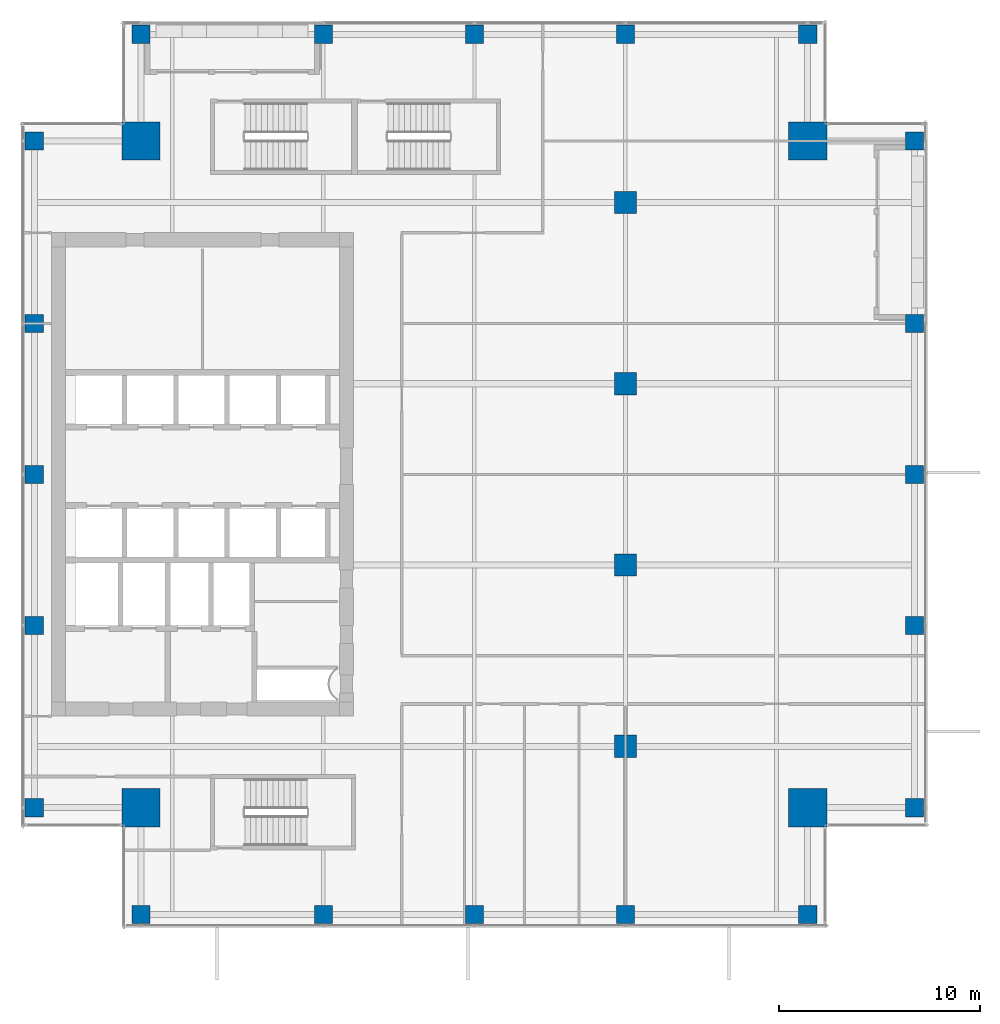
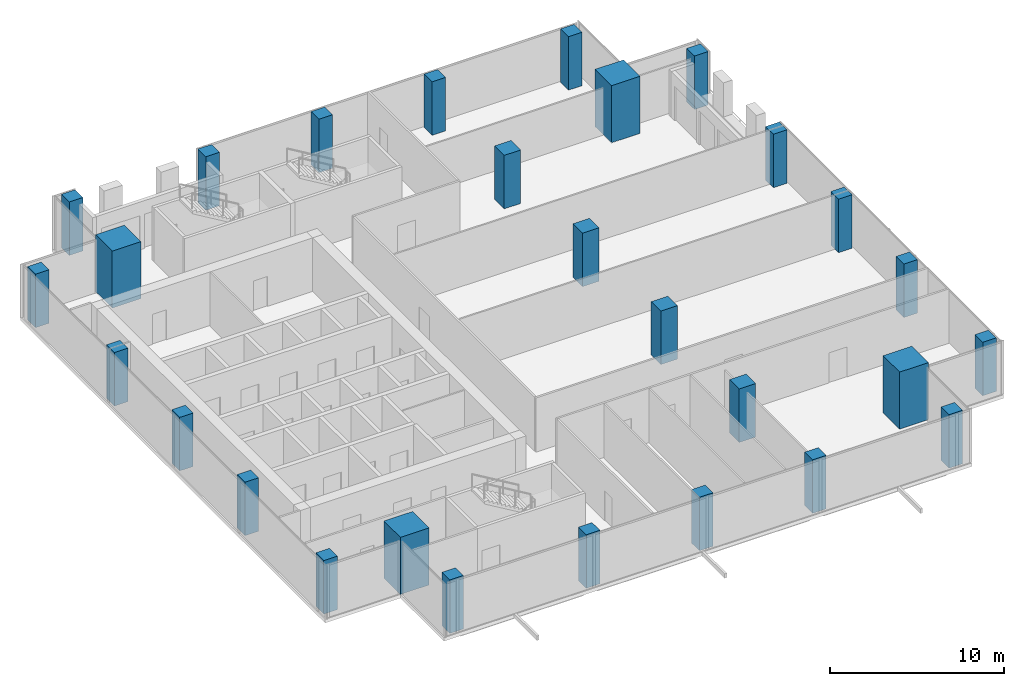
# One storey, part 1 of 34: 28 columns.
"""IFC4 building model written with IfcOpenShell, lengths in metres."""

from ifc_helpers import new_model, si_unit, direction, frame, origin, origin_2d, place, context, subcontext, project, spatial, rectangle, extrude, source, transform, mapped, material, material_profile, profile_set, type_object, element, save


model = new_model("IFC4")

# Units and contexts
model_context = context("Model", 3, precision=1e-05, world=origin(), true_north=direction((0.0, 1.0)))
body_context = subcontext(model_context, "Body", "Model", "MODEL_VIEW")
ifc_project = project(units=[si_unit("LENGTHUNIT", "METRE"), si_unit("AREAUNIT", "SQUARE_METRE"), si_unit("VOLUMEUNIT", "CUBIC_METRE"), si_unit("PLANEANGLEUNIT", "RADIAN"), si_unit("MASSUNIT", "GRAM", prefix="KILO")], contexts=[model_context])

# Site, building, storey
site_placement = place(None, origin())
site = spatial("IfcSite", under=ifc_project, at=site_placement, CompositionType="ELEMENT")
building_placement = place(site_placement, origin())
building = spatial("IfcBuilding", under=site, at=building_placement, Name="Khomas Fold Tower", CompositionType="ELEMENT")
storey_placement = place(building_placement, frame((0.0, 0.0, 254.199951171875)))
storey = spatial("IfcBuildingStorey", under=building, at=storey_placement, Name="L57", CompositionType="ELEMENT", Elevation=254.199951171875)

# Columns
ifc_material_1 = material(Name="Concrete C60/75", Category="concrete")
ifc_material_profile_1 = material_profile(ifc_material_1, rectangle(XDim=1.89990234375, YDim=1.89990234375, at=origin_2d()), Name="RC 1900x1900")
ifc_profile_set_1 = profile_set([ifc_material_profile_1], Name="Concrete C60/75")
column_type_1 = type_object("IfcColumnType", Name="RC 1900x1900 column", PredefinedType="COLUMN", material=ifc_profile_set_1)
shared_shape_1 = source(origin(), body_context, "Body", "SweptSolid", [
    extrude(rectangle(XDim=1.89990234375, YDim=1.89990234375, at=origin_2d()), origin(), (0.0, 0.0, 1.0), 4.0),
])
for number, where, z_axis, x_axis, name in (
    (1, (43.550048828125, 43.550048828125, 0.0), (0.0, 0.0, 1.0), (1.0, 0.0, 0.0), "CM-NE"),
    (2, (10.449951171875, 43.550048828125, 0.0), (0.0, 0.0, 1.0), (1.0, 0.0, 0.0), "CM-NW"),
    (3, (43.550048828125, 10.449951171875, 0.0), (0.0, 0.0, 1.0), (1.0, 0.0, 0.0), "CM-SE"),
    (4, (10.449951171875, 10.449951171875, 0.0), (0.0, 0.0, 1.0), (1.0, 0.0, 0.0), "CM-SW"),
):
    element("IfcColumn", number, at=place(storey_placement, frame(where, z_axis=z_axis, x_axis=x_axis)), inside=storey, type_object=column_type_1, Name=name, PredefinedType="COLUMN", context=body_context, shape_type="MappedRepresentation", body=[
        mapped(shared_shape_1, transform((0.0, 0.0, 0.0))),
    ])
ifc_material_2 = material(Name="Concrete C50/60", Category="concrete")
ifc_material_profile_2 = material_profile(ifc_material_2, rectangle(XDim=0.89990234375, YDim=0.89990234375, at=origin_2d()), Name="RC 900x900")
ifc_profile_set_2 = profile_set([ifc_material_profile_2], Name="Concrete C50/60")
column_type_2 = type_object("IfcColumnType", Name="RC 900x900 column", PredefinedType="COLUMN", material=ifc_profile_set_2)
shared_shape_2 = source(origin(), body_context, "Body", "SweptSolid", [
    extrude(rectangle(XDim=0.89990234375, YDim=0.89990234375, at=origin_2d()), origin(), (0.0, 0.0, 1.0), 3.75),
])
for number, where, z_axis, x_axis, name in (
    (5, (10.449951171875, 5.14990234375, 0.0), (0.0, 0.0, 1.0), (1.0, 0.0, 0.0), "C-5-SF4"),
    (6, (19.5, 5.14990234375, 0.0), (0.0, 0.0, 1.0), (1.0, 0.0, 0.0), "C-8-SF4"),
    (7, (27.0, 5.14990234375, 0.0), (0.0, 0.0, 1.0), (1.0, 0.0, 0.0), "C-9-SF4"),
    (8, (34.5, 5.14990234375, 0.0), (0.0, 0.0, 1.0), (1.0, 0.0, 0.0), "C-10-SF4"),
    (9, (43.550048828125, 5.14990234375, 0.0), (0.0, 0.0, 1.0), (1.0, 0.0, 0.0), "C-14-SF4"),
    (10, (48.85009765625, 10.449951171875, 0.0), (0.0, 0.0, 1.0), (1.0, 0.0, 0.0), "C-E4-E"),
    (11, (48.85009765625, 19.5, 0.0), (0.0, 0.0, 1.0), (1.0, 0.0, 0.0), "C-E4-J"),
    (12, (48.85009765625, 27.0, 0.0), (0.0, 0.0, 1.0), (1.0, 0.0, 0.0), "C-E4-L"),
    (13, (48.85009765625, 34.5, 0.0), (0.0, 0.0, 1.0), (1.0, 0.0, 0.0), "C-E4-N"),
    (14, (48.85009765625, 43.550048828125, 0.0), (0.0, 0.0, 1.0), (1.0, 0.0, 0.0), "C-E4-S"),
    (15, (10.449951171875, 48.85009765625, 0.0), (0.0, 0.0, 1.0), (1.0, 0.0, 0.0), "C-5-NF4"),
    (16, (19.5, 48.85009765625, 0.0), (0.0, 0.0, 1.0), (1.0, 0.0, 0.0), "C-8-NF4"),
    (17, (27.0, 48.85009765625, 0.0), (0.0, 0.0, 1.0), (1.0, 0.0, 0.0), "C-9-NF4"),
    (18, (34.5, 48.85009765625, 0.0), (0.0, 0.0, 1.0), (1.0, 0.0, 0.0), "C-10-NF4"),
    (19, (43.550048828125, 48.85009765625, 0.0), (0.0, 0.0, 1.0), (1.0, 0.0, 0.0), "C-14-NF4"),
    (20, (5.14990234375, 10.449951171875, 0.0), (0.0, 0.0, 1.0), (1.0, 0.0, 0.0), "C-W4-E"),
    (21, (5.14990234375, 19.5, 0.0), (0.0, 0.0, 1.0), (1.0, 0.0, 0.0), "C-W4-J"),
    (22, (5.14990234375, 27.0, 0.0), (0.0, 0.0, 1.0), (1.0, 0.0, 0.0), "C-W4-L"),
    (23, (5.14990234375, 34.5, 0.0), (0.0, 0.0, 1.0), (1.0, 0.0, 0.0), "C-W4-N"),
    (24, (5.14990234375, 43.550048828125, 0.0), (0.0, 0.0, 1.0), (1.0, 0.0, 0.0), "C-W4-S"),
):
    element("IfcColumn", number, at=place(storey_placement, frame(where, z_axis=z_axis, x_axis=x_axis)), inside=storey, type_object=column_type_2, Name=name, PredefinedType="COLUMN", context=body_context, shape_type="MappedRepresentation", body=[
        mapped(shared_shape_2, transform((0.0, 0.0, 0.0))),
    ])
ifc_material_3 = material(Name="Concrete C50/60", Category="concrete")
ifc_material_profile_3 = material_profile(ifc_material_3, rectangle(XDim=1.10009765625, YDim=1.10009765625, at=origin_2d()), Name="RC 1100x1100")
ifc_profile_set_3 = profile_set([ifc_material_profile_3], Name="Concrete C50/60")
column_type_3 = type_object("IfcColumnType", Name="RC 1100x1100 column", PredefinedType="COLUMN", material=ifc_profile_set_3)
shared_shape_3 = source(origin(), body_context, "Body", "SweptSolid", [
    extrude(rectangle(XDim=1.10009765625, YDim=1.10009765625, at=origin_2d()), origin(), (0.0, 0.0, 1.0), 3.75),
])
for number, where, z_axis, x_axis, name in (
    (25, (34.5, 13.5, 0.0), (0.0, 0.0, 1.0), (1.0, 0.0, 0.0), "C-10-H"),
    (26, (34.5, 22.5, 0.0), (0.0, 0.0, 1.0), (1.0, 0.0, 0.0), "C-10-K"),
    (27, (34.5, 31.5, 0.0), (0.0, 0.0, 1.0), (1.0, 0.0, 0.0), "C-10-M"),
    (28, (34.5, 40.5, 0.0), (0.0, 0.0, 1.0), (1.0, 0.0, 0.0), "C-10-P"),
):
    element("IfcColumn", number, at=place(storey_placement, frame(where, z_axis=z_axis, x_axis=x_axis)), inside=storey, type_object=column_type_3, Name=name, PredefinedType="COLUMN", context=body_context, shape_type="MappedRepresentation", body=[
        mapped(shared_shape_3, transform((0.0, 0.0, 0.0))),
    ])

save(model, "model.ifc")
